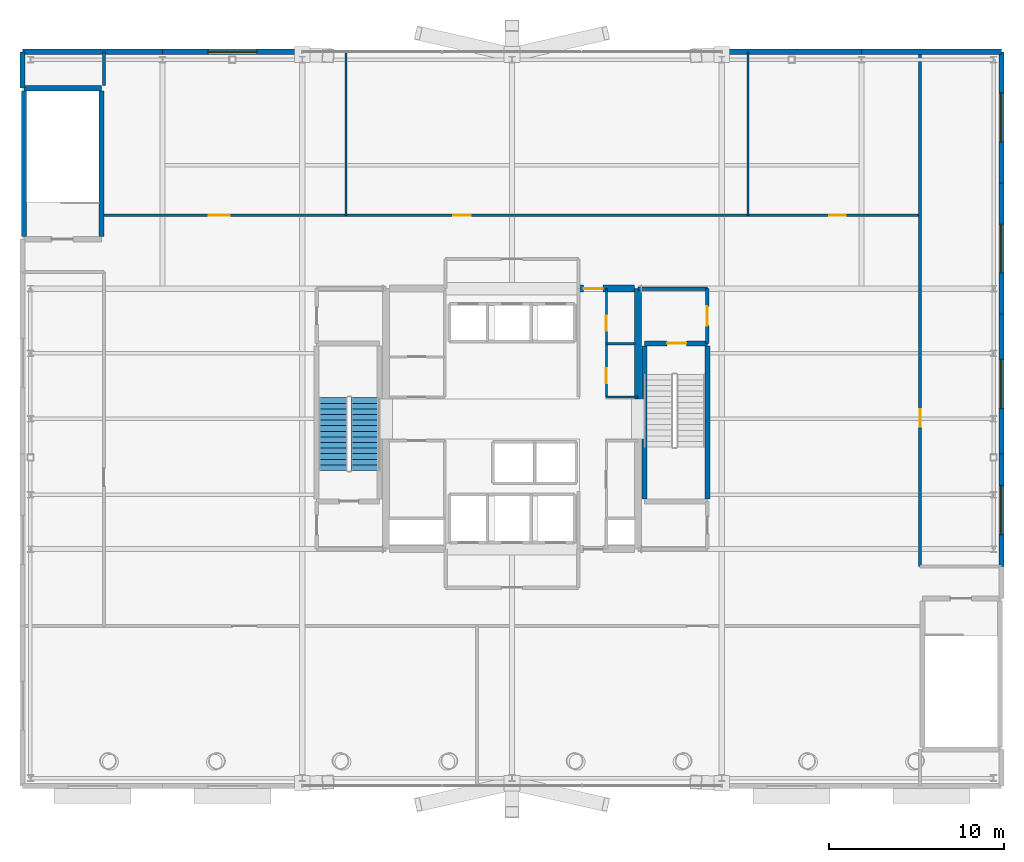
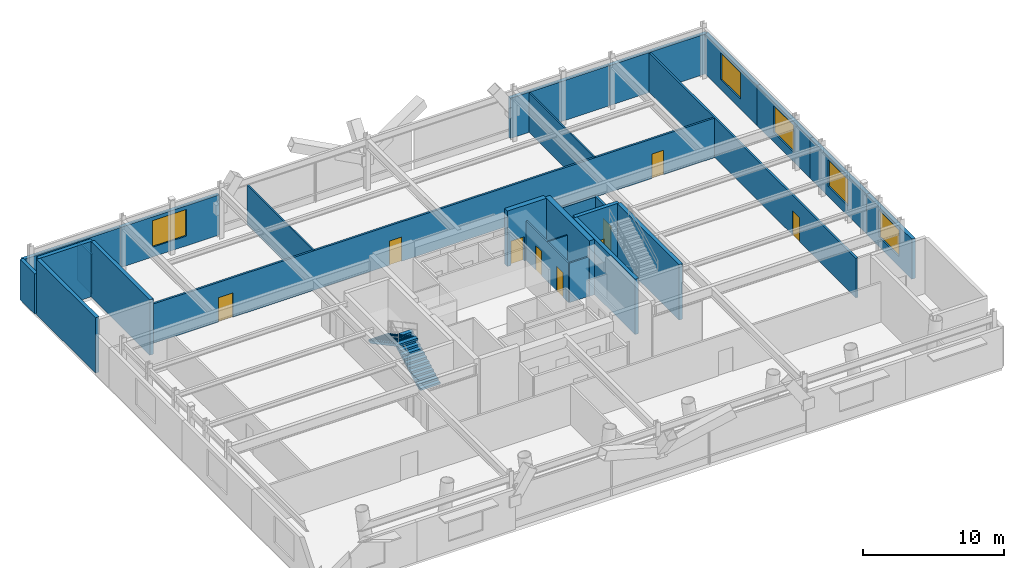
# One storey, part 17 of 21: 27 walls, 9 doors, 5 windows, 2 stair flights, 14 openings, 1 element without a shape of its own.
"""IFC4 building model written with IfcOpenShell, lengths in metres."""

from ifc_helpers import new_model, si_unit, direction, frame, frame_2d, origin, place, context, subcontext, project, spatial, polyline, rectangle, outline, extrude, material, layer, layer_set, type_object, element, fill, aggregate, save


model = new_model("IFC4")

# Units and contexts
model_context = context("Model", 3, precision=1e-05, world=origin(), true_north=direction((0.0, 1.0)))
body_context = subcontext(model_context, "Body", "Model", "MODEL_VIEW")
ifc_project = project(units=[si_unit("LENGTHUNIT", "METRE"), si_unit("AREAUNIT", "SQUARE_METRE"), si_unit("VOLUMEUNIT", "CUBIC_METRE"), si_unit("PLANEANGLEUNIT", "RADIAN"), si_unit("MASSUNIT", "GRAM", prefix="KILO")], contexts=[model_context])

# Site, building, storey
site_placement = place(None, origin())
site = spatial("IfcSite", under=ifc_project, at=site_placement, CompositionType="ELEMENT")
building_placement = place(site_placement, origin())
building = spatial("IfcBuilding", under=site, at=building_placement, Name="Veldorina Hangang Commons", CompositionType="ELEMENT")
storey_placement = place(building_placement, frame((0.0, 0.0, 19.60009765625)))
storey = spatial("IfcBuildingStorey", under=building, at=storey_placement, Name="L04", CompositionType="ELEMENT", Elevation=19.60009765625)

# Wall
ifc_material_1 = material(Name="Concrete C70/85", Category="concrete")
ifc_layer_1 = layer(ifc_material_1, 0.39990234375)
ifc_layer_set_1 = layer_set([ifc_layer_1], Name="Concrete C70/85")
wall_type_1 = type_object("IfcWallType", Name="CW-RC400-C70", PredefinedType="SHEAR", material=ifc_layer_set_1)
wall_1_placement = place(storey_placement, frame((39.199951171875, 25.14990234375, 0.0), z_axis=(0.0, 0.0, 1.0), x_axis=(0.0, 1.0, 0.0)))
element("IfcWall", 1, at=wall_1_placement, inside=storey, type_object=wall_type_1, Name="L04 E north core shear wall", PredefinedType="SHEAR", context=body_context, shape_type="SweptSolid", body=[
    extrude(rectangle(XDim=6.300048828125, YDim=0.39990234375, at=frame_2d((3.14990234375, 0.0))), origin(), (0.0, 0.0, 1.0), 4.7998046875),
])

# Wall, opening, door
wall_2_placement = place(storey_placement, frame((35.800048828125, 31.449951171875, 0.0), z_axis=(0.0, 0.0, 1.0), x_axis=(1.0, 0.0, 0.0)))
wall_2 = element("IfcWall", 2, at=wall_2_placement, inside=storey, type_object=wall_type_1, Name="L04 north-east core shear wall", PredefinedType="SHEAR", context=body_context, shape_type="SweptSolid", body=[
    extrude(rectangle(XDim=3.199951171875, YDim=0.39990234375, at=frame_2d((1.60009765625, 0.0))), origin(), (0.0, 0.0, 1.0), 4.7998046875),
])
opening_1_placement = place(wall_2_placement, frame((0.300048828125, 0.0, 0.0)))
opening_1 = element("IfcOpeningElement", 3, at=opening_1_placement, cuts=wall_2, Name="Opening D-08", PredefinedType="OPENING", context=body_context, shape_type="SweptSolid", body=[
    extrude(rectangle(XDim=1.10009765625, YDim=2.10009765625, at=frame_2d((0.550048828125, 1.050048828125))), frame((0.0, 0.2099609375, 0.0), z_axis=(0.0, -1.0, 0.0), x_axis=(1.0, 0.0, 0.0)), (0.0, 0.0, 1.0), 0.419921875),
])
ifc_material_2 = material(Name="Steel Fire-Rated Smoke Seal", Category="steel")
door_type_1 = type_object("IfcDoorType", Name="DR-FIRE-1100", OperationType="SINGLE_SWING_RIGHT", PredefinedType="DOOR", material=ifc_material_2)
door_1_placement = place(opening_1_placement, origin())
door_1 = element("IfcDoor", 4, at=door_1_placement, inside=storey, type_object=door_type_1, Name="L04 central lift lobby north corridor door", OperationType="SINGLE_SWING_LEFT", OverallHeight=2.10009765625, OverallWidth=1.10009765625, PredefinedType="DOOR", context=body_context, shape_type="SweptSolid", body=[
    extrude(rectangle(XDim=1.10009765625, YDim=2.10009765625, at=frame_2d((0.550048828125, 1.050048828125))), frame((0.0, 0.02490234375, 0.0), z_axis=(0.0, -1.0, 0.0), x_axis=(1.0, 0.0, 0.0)), (0.0, 0.0, 1.0), 0.050048828125),
])
fill(opening_1, door_1)

# Wall
ifc_material_3 = material(Name="Stone Roman Travertine", Category="masonry")
ifc_layer_2 = layer(ifc_material_3, 0.300048828125)
ifc_layer_set_2 = layer_set([ifc_layer_2], Name="Stone Roman Travertine")
wall_type_2 = type_object("IfcWallType", Name="EW-TRAV-300", PredefinedType="STANDARD", material=ifc_layer_set_2)
wall_3_placement = place(storey_placement, frame((12.0, 45.0, 0.0), z_axis=(0.0, 0.0, 1.0), x_axis=(-1.0, 0.0, 0.0)))
element("IfcWall", 5, at=wall_3_placement, inside=storey, type_object=wall_type_2, Name="L04 north podium stone wall N1", PredefinedType="STANDARD", context=body_context, shape_type="SweptSolid", body=[
    extrude(rectangle(XDim=8.0, YDim=0.300048828125, at=frame_2d((4.0, 0.0))), origin(), (0.0, 0.0, 1.0), 3.469970703125),
])

# Wall, opening, window
wall_4_placement = place(storey_placement, frame((20.094970703125, 45.0, 0.0), z_axis=(0.0, 0.0, 1.0), x_axis=(-1.0, 0.0, 0.0)))
wall_4 = element("IfcWall", 6, at=wall_4_placement, inside=storey, type_object=wall_type_2, Name="L04 north podium stone wall N2", PredefinedType="STANDARD", context=body_context, shape_type="SweptSolid", body=[
    extrude(rectangle(XDim=8.094970703125, YDim=0.300048828125, at=frame_2d((4.04736328125, 0.0))), origin(), (0.0, 0.0, 1.0), 3.469970703125),
])
opening_2_placement = place(wall_4_placement, frame((2.695068359375, 0.0, 0.85009765625)))
opening_2 = element("IfcOpeningElement", 7, at=opening_2_placement, cuts=wall_4, Name="Opening W-06", PredefinedType="OPENING", context=body_context, shape_type="SweptSolid", body=[
    extrude(rectangle(XDim=2.800048828125, YDim=2.300048828125, at=frame_2d((1.39990234375, 1.14990234375))), frame((0.0, 0.16015625, 0.0), z_axis=(0.0, -1.0, 0.0), x_axis=(1.0, 0.0, 0.0)), (0.0, 0.0, 1.0), 0.320068359375),
])
ifc_material_4 = material(Name="Glass Acoustic Laminated", Category="glass")
window_type = type_object("IfcWindowType", Name="WIN-POD-2800", PartitioningType="SINGLE_PANEL", PredefinedType="WINDOW", material=ifc_material_4)
window_1_placement = place(opening_2_placement, origin())
window_1 = element("IfcWindow", 8, at=window_1_placement, inside=storey, type_object=window_type, Name="L04 north podium window N2", OverallHeight=2.300048828125, OverallWidth=2.800048828125, PartitioningType="SINGLE_PANEL", PredefinedType="WINDOW", context=body_context, shape_type="SweptSolid", body=[
    extrude(rectangle(XDim=2.800048828125, YDim=2.300048828125, at=frame_2d((1.39990234375, 1.14990234375))), frame((0.0, 0.030029296875, 0.0), z_axis=(0.0, -1.0, 0.0), x_axis=(1.0, 0.0, 0.0)), (0.0, 0.0, 1.0), 0.06005859375),
])
fill(opening_2, window_1)

# Walls
wall_5_placement = place(storey_placement, frame((52.0, 45.0, 0.0), z_axis=(0.0, 0.0, 1.0), x_axis=(-1.0, 0.0, 0.0)))
element("IfcWall", 9, at=wall_5_placement, inside=storey, type_object=wall_type_2, Name="L04 north podium stone wall N6", PredefinedType="STANDARD", context=body_context, shape_type="SweptSolid", body=[
    extrude(rectangle(XDim=8.094970703125, YDim=0.300048828125, at=frame_2d((4.04736328125, 0.0))), origin(), (0.0, 0.0, 1.0), 3.469970703125),
])
wall_6_placement = place(storey_placement, frame((60.0, 45.0, 0.0), z_axis=(0.0, 0.0, 1.0), x_axis=(-1.0, 0.0, 0.0)))
element("IfcWall", 10, at=wall_6_placement, inside=storey, type_object=wall_type_2, Name="L04 north podium stone wall N7", PredefinedType="STANDARD", context=body_context, shape_type="SweptSolid", body=[
    extrude(rectangle(XDim=8.0, YDim=0.300048828125, at=frame_2d((4.0, 0.0))), origin(), (0.0, 0.0, 1.0), 3.469970703125),
])
wall_7_placement = place(storey_placement, frame((4.0, 45.0, 0.0), z_axis=(0.0, 0.0, 1.0), x_axis=(0.0, -1.0, 0.0)))
element("IfcWall", 11, at=wall_7_placement, inside=storey, type_object=wall_type_2, Name="L04 west podium stone wall W6", PredefinedType="STANDARD", context=body_context, shape_type="SweptSolid", body=[
    extrude(rectangle(XDim=2.080078125, YDim=0.300048828125, at=frame_2d((1.0400390625, 0.0))), origin(), (0.0, 0.0, 1.0), 3.469970703125),
])

# Wall, opening, window
wall_8_placement = place(storey_placement, frame((60.0, 15.550048828125, 0.0), z_axis=(0.0, 0.0, 1.0), x_axis=(0.0, 1.0, 0.0)))
wall_8 = element("IfcWall", 12, at=wall_8_placement, inside=storey, type_object=wall_type_2, Name="L04 east podium stone wall E4", PredefinedType="STANDARD", context=body_context, shape_type="SweptSolid", body=[
    extrude(rectangle(XDim=6.449951171875, YDim=0.300048828125, at=frame_2d((3.22509765625, 0.0))), origin(), (0.0, 0.0, 1.0), 3.469970703125),
])
opening_3_placement = place(wall_8_placement, frame((1.824951171875, 0.0, 0.85009765625)))
opening_3 = element("IfcOpeningElement", 13, at=opening_3_placement, cuts=wall_8, Name="Opening W-06", PredefinedType="OPENING", context=body_context, shape_type="SweptSolid", body=[
    extrude(rectangle(XDim=2.800048828125, YDim=2.300048828125, at=frame_2d((1.39990234375, 1.14990234375))), frame((0.0, 0.16015625, 0.0), z_axis=(0.0, -1.0, 0.0), x_axis=(1.0, 0.0, 0.0)), (0.0, 0.0, 1.0), 0.320068359375),
])
window_2_placement = place(opening_3_placement, origin())
window_2 = element("IfcWindow", 14, at=window_2_placement, inside=storey, type_object=window_type, Name="L04 east podium window E4", OverallHeight=2.300048828125, OverallWidth=2.800048828125, PartitioningType="SINGLE_PANEL", PredefinedType="WINDOW", context=body_context, shape_type="SweptSolid", body=[
    extrude(rectangle(XDim=2.800048828125, YDim=2.300048828125, at=frame_2d((1.39990234375, 1.14990234375))), frame((0.0, 0.030029296875, 0.0), z_axis=(0.0, -1.0, 0.0), x_axis=(1.0, 0.0, 0.0)), (0.0, 0.0, 1.0), 0.06005859375),
])
fill(opening_3, window_2)

wall_9_placement = place(storey_placement, frame((60.0, 22.0, 0.0), z_axis=(0.0, 0.0, 1.0), x_axis=(0.0, 1.0, 0.0)))
wall_9 = element("IfcWall", 15, at=wall_9_placement, inside=storey, type_object=wall_type_2, Name="L04 east podium stone wall E5", PredefinedType="STANDARD", context=body_context, shape_type="SweptSolid", body=[
    extrude(rectangle(XDim=8.0, YDim=0.300048828125, at=frame_2d((4.0, 0.0))), origin(), (0.0, 0.0, 1.0), 3.469970703125),
])
opening_4_placement = place(wall_9_placement, frame((2.60009765625, 0.0, 0.85009765625)))
opening_4 = element("IfcOpeningElement", 16, at=opening_4_placement, cuts=wall_9, Name="Opening W-06", PredefinedType="OPENING", context=body_context, shape_type="SweptSolid", body=[
    extrude(rectangle(XDim=2.800048828125, YDim=2.300048828125, at=frame_2d((1.39990234375, 1.14990234375))), frame((0.0, 0.16015625, 0.0), z_axis=(0.0, -1.0, 0.0), x_axis=(1.0, 0.0, 0.0)), (0.0, 0.0, 1.0), 0.320068359375),
])
window_3_placement = place(opening_4_placement, origin())
window_3 = element("IfcWindow", 17, at=window_3_placement, inside=storey, type_object=window_type, Name="L04 east podium window E5", OverallHeight=2.300048828125, OverallWidth=2.800048828125, PartitioningType="SINGLE_PANEL", PredefinedType="WINDOW", context=body_context, shape_type="SweptSolid", body=[
    extrude(rectangle(XDim=2.800048828125, YDim=2.300048828125, at=frame_2d((1.39990234375, 1.14990234375))), frame((0.0, 0.030029296875, 0.0), z_axis=(0.0, -1.0, 0.0), x_axis=(1.0, 0.0, 0.0)), (0.0, 0.0, 1.0), 0.06005859375),
])
fill(opening_4, window_3)

wall_10_placement = place(storey_placement, frame((60.0, 30.0, 0.0), z_axis=(0.0, 0.0, 1.0), x_axis=(0.0, 1.0, 0.0)))
wall_10 = element("IfcWall", 18, at=wall_10_placement, inside=storey, type_object=wall_type_2, Name="L04 east podium stone wall E6", PredefinedType="STANDARD", context=body_context, shape_type="SweptSolid", body=[
    extrude(rectangle(XDim=7.5, YDim=0.300048828125, at=frame_2d((3.75, 0.0))), origin(), (0.0, 0.0, 1.0), 3.469970703125),
])
opening_5_placement = place(wall_10_placement, frame((2.35009765625, 0.0, 0.85009765625)))
opening_5 = element("IfcOpeningElement", 19, at=opening_5_placement, cuts=wall_10, Name="Opening W-06", PredefinedType="OPENING", context=body_context, shape_type="SweptSolid", body=[
    extrude(rectangle(XDim=2.800048828125, YDim=2.300048828125, at=frame_2d((1.39990234375, 1.14990234375))), frame((0.0, 0.16015625, 0.0), z_axis=(0.0, -1.0, 0.0), x_axis=(1.0, 0.0, 0.0)), (0.0, 0.0, 1.0), 0.320068359375),
])
window_4_placement = place(opening_5_placement, origin())
window_4 = element("IfcWindow", 20, at=window_4_placement, inside=storey, type_object=window_type, Name="L04 east podium window E6", OverallHeight=2.300048828125, OverallWidth=2.800048828125, PartitioningType="SINGLE_PANEL", PredefinedType="WINDOW", context=body_context, shape_type="SweptSolid", body=[
    extrude(rectangle(XDim=2.800048828125, YDim=2.300048828125, at=frame_2d((1.39990234375, 1.14990234375))), frame((0.0, 0.030029296875, 0.0), z_axis=(0.0, -1.0, 0.0), x_axis=(1.0, 0.0, 0.0)), (0.0, 0.0, 1.0), 0.06005859375),
])
fill(opening_5, window_4)

wall_11_placement = place(storey_placement, frame((60.0, 37.5, 0.0), z_axis=(0.0, 0.0, 1.0), x_axis=(0.0, 1.0, 0.0)))
wall_11 = element("IfcWall", 21, at=wall_11_placement, inside=storey, type_object=wall_type_2, Name="L04 east podium stone wall E7", PredefinedType="STANDARD", context=body_context, shape_type="SweptSolid", body=[
    extrude(rectangle(XDim=7.5, YDim=0.300048828125, at=frame_2d((3.75, 0.0))), origin(), (0.0, 0.0, 1.0), 3.469970703125),
])
opening_6_placement = place(wall_11_placement, frame((2.35009765625, 0.0, 0.85009765625)))
opening_6 = element("IfcOpeningElement", 22, at=opening_6_placement, cuts=wall_11, Name="Opening W-06", PredefinedType="OPENING", context=body_context, shape_type="SweptSolid", body=[
    extrude(rectangle(XDim=2.800048828125, YDim=2.300048828125, at=frame_2d((1.39990234375, 1.14990234375))), frame((0.0, 0.16015625, 0.0), z_axis=(0.0, -1.0, 0.0), x_axis=(1.0, 0.0, 0.0)), (0.0, 0.0, 1.0), 0.320068359375),
])
window_5_placement = place(opening_6_placement, origin())
window_5 = element("IfcWindow", 23, at=window_5_placement, inside=storey, type_object=window_type, Name="L04 east podium window E7", OverallHeight=2.300048828125, OverallWidth=2.800048828125, PartitioningType="SINGLE_PANEL", PredefinedType="WINDOW", context=body_context, shape_type="SweptSolid", body=[
    extrude(rectangle(XDim=2.800048828125, YDim=2.300048828125, at=frame_2d((1.39990234375, 1.14990234375))), frame((0.0, 0.030029296875, 0.0), z_axis=(0.0, -1.0, 0.0), x_axis=(1.0, 0.0, 0.0)), (0.0, 0.0, 1.0), 0.06005859375),
])
fill(opening_6, window_5)

# Walls
ifc_material_5 = material(Name="Concrete C50/60", Category="concrete")
ifc_layer_3 = layer(ifc_material_5, 0.300048828125)
ifc_layer_set_3 = layer_set([ifc_layer_3], Name="Concrete C50/60")
wall_type_3 = type_object("IfcWallType", Name="SW-STAIR-300", PredefinedType="SHEAR", material=ifc_layer_set_3)
for number, where, z_axis, x_axis, name in (
    (24, (43.179931640625, 19.429931640625, 0.0), (0.0, 0.0, 1.0), (0.0, 1.0, 0.0), "L04 ST2 outer stair shear wall"),
    (25, (39.580078125, 19.429931640625, 0.0), (0.0, 0.0, 1.0), (0.0, 1.0, 0.0), "L04 ST2 inner stair shear wall"),
):
    element("IfcWall", number, at=place(storey_placement, frame(where, z_axis=z_axis, x_axis=x_axis)), inside=storey, type_object=wall_type_3, Name=name, PredefinedType="SHEAR", context=body_context, shape_type="SweptSolid", body=[
        extrude(rectangle(XDim=8.739990234375, YDim=0.300048828125, at=frame_2d((4.3701171875, 0.0))), origin(), (0.0, 0.0, 1.0), 4.7998046875),
    ])

# Wall, opening, door
wall_12_placement = place(storey_placement, frame((39.580078125, 28.320068359375, 0.0), z_axis=(0.0, 0.0, 1.0), x_axis=(1.0, 0.0, 0.0)))
wall_12 = element("IfcWall", 26, at=wall_12_placement, inside=storey, type_object=wall_type_3, Name="L04 ST2 north stair shear wall", PredefinedType="SHEAR", context=body_context, shape_type="SweptSolid", body=[
    extrude(rectangle(XDim=3.599853515625, YDim=0.300048828125, at=frame_2d((1.7998046875, 0.0))), origin(), (0.0, 0.0, 1.0), 4.7998046875),
])
opening_7_placement = place(wall_12_placement, frame((1.300048828125, 0.0, 0.0)))
opening_7 = element("IfcOpeningElement", 27, at=opening_7_placement, cuts=wall_12, Name="Opening D-08", PredefinedType="OPENING", context=body_context, shape_type="SweptSolid", body=[
    extrude(rectangle(XDim=1.10009765625, YDim=2.10009765625, at=frame_2d((0.550048828125, 1.050048828125))), frame((0.0, 0.16015625, 0.0), z_axis=(0.0, -1.0, 0.0), x_axis=(1.0, 0.0, 0.0)), (0.0, 0.0, 1.0), 0.320068359375),
])
door_2_placement = place(opening_7_placement, origin())
door_2 = element("IfcDoor", 28, at=door_2_placement, inside=storey, type_object=door_type_1, Name="L04 Special Escape Stair ST-2 door", OperationType="SINGLE_SWING_RIGHT", OverallHeight=2.10009765625, OverallWidth=1.10009765625, PredefinedType="DOOR", context=body_context, shape_type="SweptSolid", body=[
    extrude(rectangle(XDim=1.10009765625, YDim=2.10009765625, at=frame_2d((0.550048828125, 1.050048828125))), frame((0.0, 0.02490234375, 0.0), z_axis=(0.0, -1.0, 0.0), x_axis=(1.0, 0.0, 0.0)), (0.0, 0.0, 1.0), 0.050048828125),
])
fill(opening_7, door_2)

# Walls
for number, where, z_axis, x_axis, name in (
    (29, (4.080078125, 34.429931640625, 0.0), (0.0, 0.0, 1.0), (0.0, 1.0, 0.0), "L04 STP1 W stair shear wall"),
    (30, (8.52001953125, 34.429931640625, 0.0), (0.0, 0.0, 1.0), (0.0, 1.0, 0.0), "L04 STP1 E stair shear wall"),
):
    element("IfcWall", number, at=place(storey_placement, frame(where, z_axis=z_axis, x_axis=x_axis)), inside=storey, type_object=wall_type_3, Name=name, PredefinedType="SHEAR", context=body_context, shape_type="SweptSolid", body=[
        extrude(rectangle(XDim=8.340087890625, YDim=0.300048828125, at=frame_2d((4.169921875, 0.0))), origin(), (0.0, 0.0, 1.0), 4.7998046875),
    ])
wall_13_placement = place(storey_placement, frame((4.080078125, 42.919921875, 0.0), z_axis=(0.0, 0.0, 1.0), x_axis=(1.0, 0.0, 0.0)))
element("IfcWall", 31, at=wall_13_placement, inside=storey, type_object=wall_type_3, Name="L04 STP1 N stair shear wall", PredefinedType="SHEAR", context=body_context, shape_type="SweptSolid", body=[
    extrude(rectangle(XDim=4.43994140625, YDim=0.300048828125, at=frame_2d((2.219970703125, 0.0))), origin(), (0.0, 0.0, 1.0), 4.7998046875),
])

# Wall, openings, doors
ifc_material_6 = material(Name="Gypsum Fire-Rated Twin Stud Wall", Category="gypsum")
ifc_layer_4 = layer(ifc_material_6, 0.159912109375)
ifc_layer_set_4 = layer_set([ifc_layer_4], Name="Gypsum Fire-Rated Twin Stud Wall")
wall_type_4 = type_object("IfcWallType", Name="WL-FIRE-160", PredefinedType="SOLIDWALL", material=ifc_layer_set_4)
wall_14_placement = place(storey_placement, frame((8.64990234375, 35.64990234375, 0.0), z_axis=(0.0, 0.0, 1.0), x_axis=(1.0, 0.0, 0.0)))
wall_14 = element("IfcWall", 32, at=wall_14_placement, inside=storey, type_object=wall_type_4, Name="L04 L04 gallery north wall 047", PredefinedType="SOLIDWALL", context=body_context, shape_type="SweptSolid", body=[
    extrude(rectangle(XDim=46.7001953125, YDim=0.159912109375, at=frame_2d((23.35009765625, 0.0))), origin(), (0.0, 0.0, 1.0), 3.419921875),
])
opening_8_placement = place(wall_14_placement, frame((6.0, 0.0, 0.0)))
opening_8 = element("IfcOpeningElement", 33, at=opening_8_placement, cuts=wall_14, Name="Opening D-09", PredefinedType="OPENING", context=body_context, shape_type="SweptSolid", body=[
    extrude(rectangle(XDim=1.199951171875, YDim=2.10009765625, at=frame_2d((0.60009765625, 1.050048828125))), frame((0.0, 0.08984375, 0.0), z_axis=(0.0, -1.0, 0.0), x_axis=(1.0, 0.0, 0.0)), (0.0, 0.0, 1.0), 0.179931640625),
])
opening_9_placement = place(wall_14_placement, frame((20.0, 0.0, 0.0)))
opening_9 = element("IfcOpeningElement", 34, at=opening_9_placement, cuts=wall_14, Name="Opening D-05", PredefinedType="OPENING", context=body_context, shape_type="SweptSolid", body=[
    extrude(rectangle(XDim=1.0, YDim=2.10009765625, at=frame_2d((0.5, 1.050048828125))), frame((0.0, 0.08984375, 0.0), z_axis=(0.0, -1.0, 0.0), x_axis=(1.0, 0.0, 0.0)), (0.0, 0.0, 1.0), 0.179931640625),
])
opening_10_placement = place(wall_14_placement, frame((41.5, 0.0, 0.0)))
opening_10 = element("IfcOpeningElement", 35, at=opening_10_placement, cuts=wall_14, Name="Opening D-02", PredefinedType="OPENING", context=body_context, shape_type="SweptSolid", body=[
    extrude(rectangle(XDim=0.949951171875, YDim=2.10009765625, at=frame_2d((0.47509765625, 1.050048828125))), frame((0.0, 0.08984375, 0.0), z_axis=(0.0, -1.0, 0.0), x_axis=(1.0, 0.0, 0.0)), (0.0, 0.0, 1.0), 0.179931640625),
])
ifc_material_7 = material(Name="Steel Fire-Rated Corridor Door", Category="steel")
door_type_2 = type_object("IfcDoorType", Name="DR-FIRE-1200", OperationType="SINGLE_SWING_LEFT", PredefinedType="DOOR", material=ifc_material_7)
door_3_placement = place(opening_8_placement, origin())
door_3 = element("IfcDoor", 36, at=door_3_placement, inside=storey, type_object=door_type_2, Name="L04 Maker studio door 021", OperationType="SINGLE_SWING_LEFT", OverallHeight=2.10009765625, OverallWidth=1.199951171875, PredefinedType="DOOR", context=body_context, shape_type="SweptSolid", body=[
    extrude(rectangle(XDim=1.199951171875, YDim=2.10009765625, at=frame_2d((0.60009765625, 1.050048828125))), frame((0.0, 0.02490234375, 0.0), z_axis=(0.0, -1.0, 0.0), x_axis=(1.0, 0.0, 0.0)), (0.0, 0.0, 1.0), 0.050048828125),
])
fill(opening_8, door_3)
ifc_material_8 = material(Name="Timber Solid Core Acoustic", Category="wood")
door_type_3 = type_object("IfcDoorType", Name="DR-INT-1000", OperationType="SINGLE_SWING_RIGHT", PredefinedType="DOOR", material=ifc_material_8)
door_4_placement = place(opening_9_placement, origin())
door_4 = element("IfcDoor", 37, at=door_4_placement, inside=storey, type_object=door_type_3, Name="L04 Seminar classroom door 022", OperationType="SINGLE_SWING_RIGHT", OverallHeight=2.10009765625, OverallWidth=1.0, PredefinedType="DOOR", context=body_context, shape_type="SweptSolid", body=[
    extrude(rectangle(XDim=1.0, YDim=2.10009765625, at=frame_2d((0.5, 1.050048828125))), frame((0.0, 0.02490234375, 0.0), z_axis=(0.0, -1.0, 0.0), x_axis=(1.0, 0.0, 0.0)), (0.0, 0.0, 1.0), 0.050048828125),
])
fill(opening_9, door_4)
door_type_4 = type_object("IfcDoorType", Name="DR-INT-950", OperationType="SINGLE_SWING_LEFT", PredefinedType="DOOR", material=ifc_material_8)
door_5_placement = place(opening_10_placement, origin())
door_5 = element("IfcDoor", 38, at=door_5_placement, inside=storey, type_object=door_type_4, Name="L04 Library restroom door 023", OperationType="SINGLE_SWING_LEFT", OverallHeight=2.10009765625, OverallWidth=0.949951171875, PredefinedType="DOOR", context=body_context, shape_type="SweptSolid", body=[
    extrude(rectangle(XDim=0.949951171875, YDim=2.10009765625, at=frame_2d((0.47509765625, 1.050048828125))), frame((0.0, 0.02490234375, 0.0), z_axis=(0.0, -1.0, 0.0), x_axis=(1.0, 0.0, 0.0)), (0.0, 0.0, 1.0), 0.050048828125),
])
fill(opening_10, door_5)

# Wall, opening, door
wall_15_placement = place(storey_placement, frame((55.35009765625, 15.550048828125, 0.0), z_axis=(0.0, 0.0, 1.0), x_axis=(0.0, 1.0, 0.0)))
wall_15 = element("IfcWall", 39, at=wall_15_placement, inside=storey, type_object=wall_type_4, Name="L04 L04 gallery east wall 051", PredefinedType="SOLIDWALL", context=body_context, shape_type="SweptSolid", body=[
    extrude(rectangle(XDim=29.449951171875, YDim=0.159912109375, at=frame_2d((14.72509765625, 0.0))), origin(), (0.0, 0.0, 1.0), 3.419921875),
])
opening_11_placement = place(wall_15_placement, frame((8.0, 0.0, 0.0)))
opening_11 = element("IfcOpeningElement", 40, at=opening_11_placement, cuts=wall_15, Name="Opening D-05", PredefinedType="OPENING", context=body_context, shape_type="SweptSolid", body=[
    extrude(rectangle(XDim=1.0, YDim=2.10009765625, at=frame_2d((0.5, 1.050048828125))), frame((0.0, 0.08984375, 0.0), z_axis=(0.0, -1.0, 0.0), x_axis=(1.0, 0.0, 0.0)), (0.0, 0.0, 1.0), 0.179931640625),
])
door_6_placement = place(opening_11_placement, origin())
door_6 = element("IfcDoor", 41, at=door_6_placement, inside=storey, type_object=door_type_3, Name="L04 East admin office door 025", OperationType="SINGLE_SWING_LEFT", OverallHeight=2.10009765625, OverallWidth=1.0, PredefinedType="DOOR", context=body_context, shape_type="SweptSolid", body=[
    extrude(rectangle(XDim=1.0, YDim=2.10009765625, at=frame_2d((0.5, 1.050048828125))), frame((0.0, 0.02490234375, 0.0), z_axis=(0.0, -1.0, 0.0), x_axis=(1.0, 0.0, 0.0)), (0.0, 0.0, 1.0), 0.050048828125),
])
fill(opening_11, door_6)

# Wall
wall_16_placement = place(storey_placement, frame((8.64990234375, 43.070068359375, 0.0), z_axis=(0.0, 0.0, 1.0), x_axis=(0.0, 1.0, 0.0)))
element("IfcWall", 42, at=wall_16_placement, inside=storey, type_object=wall_type_4, Name="L04 L04 NW stair vestibule wall 053", PredefinedType="SOLIDWALL", context=body_context, shape_type="SweptSolid", body=[
    extrude(rectangle(XDim=1.929931640625, YDim=0.159912109375, at=frame_2d((0.96484375, 0.0))), origin(), (0.0, 0.0, 1.0), 3.419921875),
])

# Wall, opening, door
ifc_material_9 = material(Name="Concrete Blockwork Fire Wall C30/37", Category="masonry")
ifc_layer_5 = layer(ifc_material_9, 0.199951171875)
ifc_layer_set_5 = layer_set([ifc_layer_5], Name="Concrete Blockwork Fire Wall C30/37")
wall_type_5 = type_object("IfcWallType", Name="WL-FIRE-200", PredefinedType="SOLIDWALL", material=ifc_layer_set_5)
wall_17_placement = place(storey_placement, frame((43.179931640625, 28.320068359375, 0.0), z_axis=(0.0, 0.0, 1.0), x_axis=(0.0, 1.0, 0.0)))
wall_17 = element("IfcWall", 43, at=wall_17_placement, inside=storey, type_object=wall_type_5, Name="L04 East vestibule outer wall 003", PredefinedType="SOLIDWALL", context=body_context, shape_type="SweptSolid", body=[
    extrude(rectangle(XDim=3.1298828125, YDim=0.199951171875, at=frame_2d((1.56494140625, 0.0))), origin(), (0.0, 0.0, 1.0), 3.419921875),
])
opening_12_placement = place(wall_17_placement, frame((1.014892578125, 0.0, 0.0)))
opening_12 = element("IfcOpeningElement", 44, at=opening_12_placement, cuts=wall_17, Name="Opening D-08", PredefinedType="OPENING", context=body_context, shape_type="SweptSolid", body=[
    extrude(rectangle(XDim=1.10009765625, YDim=2.10009765625, at=frame_2d((0.550048828125, 1.050048828125))), frame((0.0, 0.10986328125, 0.0), z_axis=(0.0, -1.0, 0.0), x_axis=(1.0, 0.0, 0.0)), (0.0, 0.0, 1.0), 0.219970703125),
])
door_7_placement = place(opening_12_placement, origin())
door_7 = element("IfcDoor", 45, at=door_7_placement, inside=storey, type_object=door_type_1, Name="L04 East vestibule east door 002", OperationType="SINGLE_SWING_RIGHT", OverallHeight=2.10009765625, OverallWidth=1.10009765625, PredefinedType="DOOR", context=body_context, shape_type="SweptSolid", body=[
    extrude(rectangle(XDim=1.10009765625, YDim=2.10009765625, at=frame_2d((0.550048828125, 1.050048828125))), frame((0.0, 0.02490234375, 0.0), z_axis=(0.0, -1.0, 0.0), x_axis=(1.0, 0.0, 0.0)), (0.0, 0.0, 1.0), 0.050048828125),
])
fill(opening_12, door_7)

# Wall
wall_18_placement = place(storey_placement, frame((39.199951171875, 31.449951171875, 0.0), z_axis=(0.0, 0.0, 1.0), x_axis=(1.0, 0.0, 0.0)))
element("IfcWall", 46, at=wall_18_placement, inside=storey, type_object=wall_type_5, Name="L04 East vestibule north wall 004", PredefinedType="SOLIDWALL", context=body_context, shape_type="SweptSolid", body=[
    extrude(rectangle(XDim=3.97998046875, YDim=0.199951171875, at=frame_2d((1.989990234375, 0.0))), origin(), (0.0, 0.0, 1.0), 3.419921875),
])

# Wall, openings, doors
ifc_material_10 = material(Name="Gypsum Acoustic Stud Partition", Category="gypsum")
ifc_layer_6 = layer(ifc_material_10, 0.1201171875)
ifc_layer_set_6 = layer_set([ifc_layer_6], Name="Gypsum Acoustic Stud Partition")
wall_type_6 = type_object("IfcWallType", Name="WL-PART-120", PredefinedType="PARTITIONING", material=ifc_layer_set_6)
wall_19_placement = place(storey_placement, frame((37.39990234375, 25.25, 0.0), z_axis=(0.0, 0.0, 1.0), x_axis=(0.0, 1.0, 0.0)))
wall_19 = element("IfcWall", 47, at=wall_19_placement, inside=storey, type_object=wall_type_6, Name="L04 NE strip lobby wall 041", PredefinedType="PARTITIONING", context=body_context, shape_type="SweptSolid", body=[
    extrude(rectangle(XDim=6.199951171875, YDim=0.1201171875, at=frame_2d((3.10009765625, 0.0))), origin(), (0.0, 0.0, 1.0), 3.419921875),
])
opening_13_placement = place(wall_19_placement, frame((0.800048828125, 0.0, 0.0)))
opening_13 = element("IfcOpeningElement", 48, at=opening_13_placement, cuts=wall_19, Name="Opening D-01", PredefinedType="OPENING", context=body_context, shape_type="SweptSolid", body=[
    extrude(rectangle(XDim=0.860107421875, YDim=2.10009765625, at=frame_2d((0.43017578125, 1.050048828125))), frame((0.0, 0.070068359375, 0.0), z_axis=(0.0, -1.0, 0.0), x_axis=(1.0, 0.0, 0.0)), (0.0, 0.0, 1.0), 0.14013671875),
])
opening_14_placement = place(wall_19_placement, frame((3.800048828125, 0.0, 0.0)))
opening_14 = element("IfcOpeningElement", 49, at=opening_14_placement, cuts=wall_19, Name="Opening D-01", PredefinedType="OPENING", context=body_context, shape_type="SweptSolid", body=[
    extrude(rectangle(XDim=0.860107421875, YDim=2.10009765625, at=frame_2d((0.43017578125, 1.050048828125))), frame((0.0, 0.070068359375, 0.0), z_axis=(0.0, -1.0, 0.0), x_axis=(1.0, 0.0, 0.0)), (0.0, 0.0, 1.0), 0.14013671875),
])
ifc_material_11 = material(Name="Timber Moisture-Resistant Core", Category="wood")
door_type_5 = type_object("IfcDoorType", Name="DR-WET-860", OperationType="SINGLE_SWING_LEFT", PredefinedType="DOOR", material=ifc_material_11)
door_8_placement = place(opening_13_placement, origin())
door_8 = element("IfcDoor", 50, at=door_8_placement, inside=storey, type_object=door_type_5, Name="L04 Electrical closet door 016", OperationType="SINGLE_SWING_RIGHT", OverallHeight=2.10009765625, OverallWidth=0.860107421875, PredefinedType="DOOR", context=body_context, shape_type="SweptSolid", body=[
    extrude(rectangle(XDim=0.860107421875, YDim=2.10009765625, at=frame_2d((0.43017578125, 1.050048828125))), frame((0.0, 0.02490234375, 0.0), z_axis=(0.0, -1.0, 0.0), x_axis=(1.0, 0.0, 0.0)), (0.0, 0.0, 1.0), 0.050048828125),
])
fill(opening_13, door_8)
door_9_placement = place(opening_14_placement, origin())
door_9 = element("IfcDoor", 51, at=door_9_placement, inside=storey, type_object=door_type_5, Name="L04 IT closet door 017", OperationType="SINGLE_SWING_LEFT", OverallHeight=2.10009765625, OverallWidth=0.860107421875, PredefinedType="DOOR", context=body_context, shape_type="SweptSolid", body=[
    extrude(rectangle(XDim=0.860107421875, YDim=2.10009765625, at=frame_2d((0.43017578125, 1.050048828125))), frame((0.0, 0.02490234375, 0.0), z_axis=(0.0, -1.0, 0.0), x_axis=(1.0, 0.0, 0.0)), (0.0, 0.0, 1.0), 0.050048828125),
])
fill(opening_14, door_9)

# Walls
wall_20_placement = place(storey_placement, frame((37.39990234375, 25.25, 0.0), z_axis=(0.0, 0.0, 1.0), x_axis=(1.0, 0.0, 0.0)))
element("IfcWall", 52, at=wall_20_placement, inside=storey, type_object=wall_type_6, Name="L04 NE strip south return wall 042", PredefinedType="PARTITIONING", context=body_context, shape_type="SweptSolid", body=[
    extrude(rectangle(XDim=1.800048828125, YDim=0.1201171875, at=frame_2d((0.89990234375, 0.0))), origin(), (0.0, 0.0, 1.0), 3.419921875),
])
wall_21_placement = place(storey_placement, frame((37.39990234375, 28.300048828125, 0.0), z_axis=(0.0, 0.0, 1.0), x_axis=(1.0, 0.0, 0.0)))
element("IfcWall", 53, at=wall_21_placement, inside=storey, type_object=wall_type_6, Name="L04 NE mid wall 046", PredefinedType="PARTITIONING", context=body_context, shape_type="SweptSolid", body=[
    extrude(rectangle(XDim=1.650146484375, YDim=0.1201171875, at=frame_2d((0.8251953125, 0.0))), origin(), (0.0, 0.0, 1.0), 3.419921875),
])
for number, where, z_axis, x_axis, name in (
    (54, (22.5, 35.64990234375, 0.0), (0.0, 0.0, 1.0), (0.0, 1.0, 0.0), "L04 Maker-seminar wall 056"),
    (55, (45.5, 35.64990234375, 0.0), (0.0, 0.0, 1.0), (0.0, 1.0, 0.0), "L04 Seminar-WC wall 057"),
):
    element("IfcWall", number, at=place(storey_placement, frame(where, z_axis=z_axis, x_axis=x_axis)), inside=storey, type_object=wall_type_6, Name=name, PredefinedType="PARTITIONING", context=body_context, shape_type="SweptSolid", body=[
        extrude(rectangle(XDim=9.35009765625, YDim=0.1201171875, at=frame_2d((4.675048828125, 0.0))), origin(), (0.0, 0.0, 1.0), 3.419921875),
    ])

# Stair, stair flights
ifc_material_12 = material(Name="Concrete C40/50", Category="concrete")
stair_type = type_object("IfcStairType", Name="STR-DOG-1650-28R", PredefinedType="HALF_TURN_STAIR", material=ifc_material_12)
stair_placement = place(storey_placement, origin())
stair = element("IfcStair", 56, at=stair_placement, inside=storey, type_object=stair_type, Name="L04 Exit stair ST-1", PredefinedType="HALF_TURN_STAIR")
stair_flight_type = type_object("IfcStairFlightType", Name="SFL-STR-1650-28R", PredefinedType="STRAIGHT", material=ifc_material_12)
stair_flight_1_placement = place(storey_placement, frame((23.625, 21.050048828125, 0.0), z_axis=(0.0, 0.0, 1.0), x_axis=(0.0, 1.0, 0.0)))
stair_flight_1 = element("IfcStairFlight", 57, at=stair_flight_1_placement, type_object=stair_flight_type, Name="ST-1 flight 1", NumberOfRisers=14, NumberOfTreads=13, PredefinedType="STRAIGHT", RiserHeight=0.171428571, TreadLength=0.32, context=body_context, shape_type="SweptSolid", body=[
    extrude(outline(polyline([(0.0, 0.0), (0.0, 0.17138671875), (0.320068359375, 0.17138671875), (0.320068359375, 0.3427734375), (0.639892578125, 0.3427734375), (0.639892578125, 0.514404296875), (0.9599609375, 0.514404296875), (0.9599609375, 0.685791015625), (1.280029296875, 0.685791015625), (1.280029296875, 0.857177734375), (1.60009765625, 0.857177734375), (1.60009765625, 1.028564453125), (1.919921875, 1.028564453125), (1.919921875, 1.199951171875), (2.239990234375, 1.199951171875), (2.239990234375, 1.371337890625), (2.56005859375, 1.371337890625), (2.56005859375, 1.54296875), (2.8798828125, 1.54296875), (2.8798828125, 1.71435546875), (3.199951171875, 1.71435546875), (3.199951171875, 1.8857421875), (3.52001953125, 1.8857421875), (3.52001953125, 2.05712890625), (3.840087890625, 2.05712890625), (3.840087890625, 2.228515625), (4.159912109375, 2.228515625), (4.159912109375, 2.39990234375), (4.159912109375, 2.05859375), (0.3173828125, 0.0), (0.0, 0.0)])), frame((0.0, 0.824951171875, 0.0), z_axis=(0.0, -1.0, 0.0), x_axis=(1.0, 0.0, 0.0)), (0.0, 0.0, 1.0), 1.64990234375),
])
stair_flight_2_placement = place(storey_placement, frame((21.77490234375, 25.2099609375, 2.39990234375), z_axis=(0.0, 0.0, 1.0), x_axis=(0.0, -1.0, 0.0)))
stair_flight_2 = element("IfcStairFlight", 58, at=stair_flight_2_placement, type_object=stair_flight_type, Name="ST-1 flight 2", NumberOfRisers=14, NumberOfTreads=13, PredefinedType="STRAIGHT", RiserHeight=0.171428571, TreadLength=0.32, context=body_context, shape_type="SweptSolid", body=[
    extrude(outline(polyline([(0.0, 0.0), (0.0, 0.17138671875), (0.320068359375, 0.17138671875), (0.320068359375, 0.3427734375), (0.639892578125, 0.3427734375), (0.639892578125, 0.514404296875), (0.9599609375, 0.514404296875), (0.9599609375, 0.685791015625), (1.280029296875, 0.685791015625), (1.280029296875, 0.857177734375), (1.60009765625, 0.857177734375), (1.60009765625, 1.028564453125), (1.919921875, 1.028564453125), (1.919921875, 1.199951171875), (2.239990234375, 1.199951171875), (2.239990234375, 1.371337890625), (2.56005859375, 1.371337890625), (2.56005859375, 1.54296875), (2.8798828125, 1.54296875), (2.8798828125, 1.71435546875), (3.199951171875, 1.71435546875), (3.199951171875, 1.8857421875), (3.52001953125, 1.8857421875), (3.52001953125, 2.05712890625), (3.840087890625, 2.05712890625), (3.840087890625, 2.228515625), (4.159912109375, 2.228515625), (4.159912109375, 2.39990234375), (4.159912109375, 2.05859375), (0.3173828125, 0.0), (0.0, 0.0)])), frame((0.0, 0.824951171875, 0.0), z_axis=(0.0, -1.0, 0.0), x_axis=(1.0, 0.0, 0.0)), (0.0, 0.0, 1.0), 1.64990234375),
])
aggregate(stair, [stair_flight_1, stair_flight_2])

save(model, "model.ifc")
